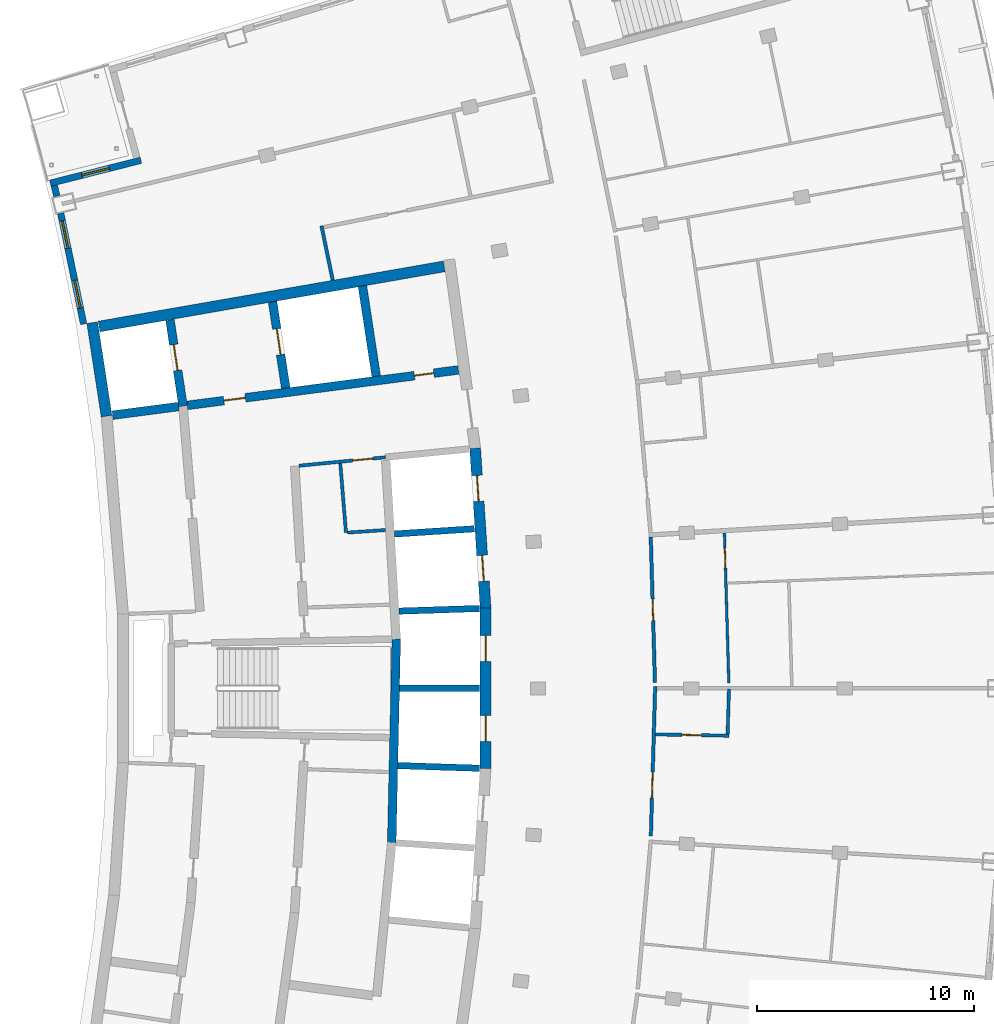
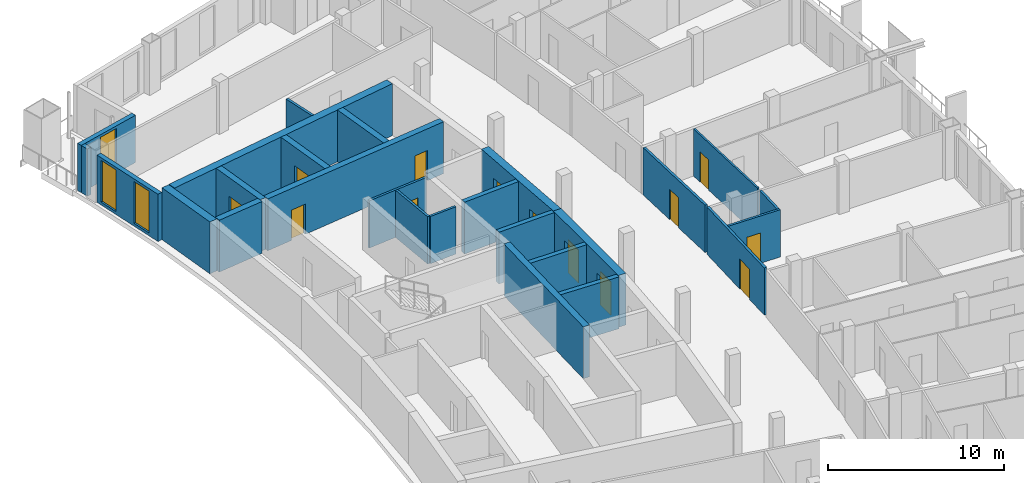
# One storey, part 10 of 15: 26 walls, 13 doors, 3 windows, 16 openings.
"""IFC4 building model written with IfcOpenShell, lengths in metres."""

from ifc_helpers import new_model, si_unit, direction, frame, frame_2d, origin, place, context, subcontext, project, spatial, rectangle, extrude, material, layer, layer_set, type_object, element, fill, save


model = new_model("IFC4")

# Units and contexts
model_context = context("Model", 3, precision=1e-05, world=origin(), true_north=direction((0.0, 1.0)))
body_context = subcontext(model_context, "Body", "Model", "MODEL_VIEW")
ifc_project = project(units=[si_unit("LENGTHUNIT", "METRE"), si_unit("AREAUNIT", "SQUARE_METRE"), si_unit("VOLUMEUNIT", "CUBIC_METRE"), si_unit("PLANEANGLEUNIT", "RADIAN"), si_unit("MASSUNIT", "GRAM", prefix="KILO")], contexts=[model_context])

# Site, building, storey
site_placement = place(None, origin())
site = spatial("IfcSite", under=ifc_project, at=site_placement, CompositionType="ELEMENT")
building_placement = place(site_placement, origin())
building = spatial("IfcBuilding", under=site, at=building_placement, Name="Alderwake Tower", CompositionType="ELEMENT")
storey_placement = place(building_placement, frame((0.0, 0.0, 249.199951171875)))
storey = spatial("IfcBuildingStorey", under=building, at=storey_placement, Name="L61", CompositionType="ELEMENT", Elevation=249.199951171875)

# Walls
ifc_material_1 = material(Name="Gypsum shaft wall system, rated")
ifc_layer_1 = layer(ifc_material_1, 0.14990234375)
ifc_layer_set_1 = layer_set([ifc_layer_1], Name="Core room partition 150")
wall_type_1 = type_object("IfcWallType", Name="Core room partition 150", PredefinedType="PARTITIONING", material=ifc_layer_set_1)
wall_1_placement = place(storey_placement, frame((26.9599609375, 68.170654296875, 0.0), z_axis=(0.0, 0.0, 1.0), x_axis=(-0.081803626558, 0.996648466954, 0.0)))
element("IfcWall", 1, at=wall_1_placement, inside=storey, type_object=wall_type_1, Name="CW/L61/PA+107_+70", PredefinedType="PARTITIONING", context=body_context, shape_type="SweptSolid", body=[
    extrude(rectangle(XDim=3.205322265625, YDim=0.14990234375, at=frame_2d((1.6025390625, 0.0))), origin(), (0.0, 0.0, 1.0), 3.280029296875),
])
wall_2_placement = place(storey_placement, frame((27.034912109375, 68.175537109375, 0.0), z_axis=(0.0, 0.0, 1.0), x_axis=(0.997757929195, 0.066926188655, 0.0)))
element("IfcWall", 2, at=wall_2_placement, inside=storey, type_object=wall_type_1, Name="CW/L61/PR+70_+107", PredefinedType="PARTITIONING", context=body_context, shape_type="SweptSolid", body=[
    extrude(rectangle(XDim=1.7509765625, YDim=0.14990234375, at=frame_2d((0.87548828125, 0.0))), origin(), (0.0, 0.0, 1.0), 3.280029296875),
])

# Wall, opening, door
wall_3_placement = place(storey_placement, frame((28.780517578125, 71.644287109375, 0.0), z_axis=(0.0, 0.0, 1.0), x_axis=(-0.995250000627, -0.097352125046, 0.0)))
wall_3 = element("IfcWall", 3, at=wall_3_placement, inside=storey, type_object=wall_type_1, Name="CW/L61/PR+102_+86", PredefinedType="PARTITIONING", context=body_context, shape_type="SweptSolid", body=[
    extrude(rectangle(XDim=4.0, YDim=0.14990234375, at=frame_2d((2.0, 0.0))), origin(), (0.0, 0.0, 1.0), 3.280029296875),
])
opening_1_placement = place(wall_3_placement, frame((0.60009765625, 0.0, 0.0)))
opening_1 = element("IfcOpeningElement", 4, at=opening_1_placement, cuts=wall_3, Name="Opening C022", PredefinedType="OPENING", context=body_context, shape_type="SweptSolid", body=[
    extrude(rectangle(XDim=0.89990234375, YDim=2.10009765625, at=frame_2d((0.449951171875, 1.050048828125))), frame((0.0, 0.0849609375, 0.0), z_axis=(0.0, -1.0, 0.0), x_axis=(1.0, 0.0, 0.0)), (0.0, 0.0, 1.0), 0.169921875),
])
ifc_material_2 = material(Name="Painted steel leaf", Category="steel")
door_type_1 = type_object("IfcDoorType", Name="Core room door 900", OperationType="SINGLE_SWING_LEFT", PredefinedType="DOOR", material=ifc_material_2)
door_1_placement = place(opening_1_placement, origin())
door_1 = element("IfcDoor", 5, at=door_1_placement, inside=storey, type_object=door_type_1, Name="Room door", OperationType="SINGLE_SWING_LEFT", OverallHeight=2.10009765625, OverallWidth=0.89990234375, PredefinedType="DOOR", context=body_context, shape_type="SweptSolid", body=[
    extrude(rectangle(XDim=0.89990234375, YDim=2.10009765625, at=frame_2d((0.449951171875, 1.050048828125))), frame((0.0, 0.02490234375, 0.0), z_axis=(0.0, -1.0, 0.0), x_axis=(1.0, 0.0, 0.0)), (0.0, 0.0, 1.0), 0.050048828125),
])
fill(opening_1, door_1)

# Wall
ifc_material_3 = material(Name="Concrete C70/85", Category="concrete")
ifc_layer_2 = layer(ifc_material_3, 0.5)
ifc_layer_set_2 = layer_set([ifc_layer_2], Name="Core wall outer 500 C70-85")
wall_type_2 = type_object("IfcWallType", Name="Core wall outer 500 C70-85", PredefinedType="SHEAR", material=ifc_layer_set_2)
wall_4_placement = place(storey_placement, frame((15.934326171875, 73.5380859375, 0.0), z_axis=(0.0, 0.0, 1.0), x_axis=(-0.151947718368, 0.988388532351, 0.0)))
element("IfcWall", 6, at=wall_4_placement, inside=storey, type_object=wall_type_2, Name="Core wall CW.025", PredefinedType="SHEAR", context=body_context, shape_type="SweptSolid", body=[
    extrude(rectangle(XDim=4.357421875, YDim=0.5, at=frame_2d((2.1787109375, 0.0))), origin(), (0.0, 0.0, 1.0), 3.60009765625),
])

# Wall, openings, doors
wall_5_placement = place(storey_placement, frame((33.389892578125, 57.30322265625, 0.0), z_axis=(0.0, 0.0, 1.0), x_axis=(0.0, 1.0, 0.0)))
wall_5 = element("IfcWall", 7, at=wall_5_placement, inside=storey, type_object=wall_type_2, Name="Core wall CW.023", PredefinedType="SHEAR", context=body_context, shape_type="SweptSolid", body=[
    extrude(rectangle(XDim=7.3935546875, YDim=0.5, at=frame_2d((3.69677734375, 0.0))), origin(), (0.0, 0.0, 1.0), 3.60009765625),
])
opening_2_placement = place(wall_5_placement, frame((1.25244140625, 0.0, 0.0)))
opening_2 = element("IfcOpeningElement", 8, at=opening_2_placement, cuts=wall_5, Name="Opening LD-HP3", PredefinedType="OPENING", context=body_context, shape_type="SweptSolid", body=[
    extrude(rectangle(XDim=1.199951171875, YDim=2.300048828125, at=frame_2d((0.60009765625, 1.14990234375))), frame((0.0, 0.260009765625, 0.0), z_axis=(0.0, -1.0, 0.0), x_axis=(1.0, 0.0, 0.0)), (0.0, 0.0, 1.0), 0.52001953125),
])
opening_3_placement = place(wall_5_placement, frame((4.94091796875, 0.0, 0.0)))
opening_3 = element("IfcOpeningElement", 9, at=opening_3_placement, cuts=wall_5, Name="Opening LD-HP4", PredefinedType="OPENING", context=body_context, shape_type="SweptSolid", body=[
    extrude(rectangle(XDim=1.199951171875, YDim=2.300048828125, at=frame_2d((0.60009765625, 1.14990234375))), frame((0.0, 0.260009765625, 0.0), z_axis=(0.0, -1.0, 0.0), x_axis=(1.0, 0.0, 0.0)), (0.0, 0.0, 1.0), 0.52001953125),
])
ifc_material_4 = material(Name="Stainless steel sliding leaf", Category="steel")
door_type_2 = type_object("IfcDoorType", Name="Lift landing door 1200", OperationType="SLIDING_TO_LEFT", PredefinedType="DOOR", material=ifc_material_4)
door_2_placement = place(opening_2_placement, origin())
door_2 = element("IfcDoor", 10, at=door_2_placement, inside=storey, type_object=door_type_2, Name="Lift landing door HP3", OperationType="SLIDING_TO_LEFT", OverallHeight=2.300048828125, OverallWidth=1.199951171875, PredefinedType="DOOR", context=body_context, shape_type="SweptSolid", body=[
    extrude(rectangle(XDim=1.199951171875, YDim=2.300048828125, at=frame_2d((0.60009765625, 1.14990234375))), frame((0.0, 0.02490234375, 0.0), z_axis=(0.0, -1.0, 0.0), x_axis=(1.0, 0.0, 0.0)), (0.0, 0.0, 1.0), 0.050048828125),
])
fill(opening_2, door_2)
door_3_placement = place(opening_3_placement, origin())
door_3 = element("IfcDoor", 11, at=door_3_placement, inside=storey, type_object=door_type_2, Name="Lift landing door HP4", OperationType="SLIDING_TO_LEFT", OverallHeight=2.300048828125, OverallWidth=1.199951171875, PredefinedType="DOOR", context=body_context, shape_type="SweptSolid", body=[
    extrude(rectangle(XDim=1.199951171875, YDim=2.300048828125, at=frame_2d((0.60009765625, 1.14990234375))), frame((0.0, 0.02490234375, 0.0), z_axis=(0.0, -1.0, 0.0), x_axis=(1.0, 0.0, 0.0)), (0.0, 0.0, 1.0), 0.050048828125),
])
fill(opening_3, door_3)

wall_6_placement = place(storey_placement, frame((33.390625, 64.679443359375, 0.0), z_axis=(0.0, 0.0, 1.0), x_axis=(-0.064980500916, 0.997886533881, 0.0)))
wall_6 = element("IfcWall", 12, at=wall_6_placement, inside=storey, type_object=wall_type_2, Name="Core wall CW.020", PredefinedType="SHEAR", context=body_context, shape_type="SweptSolid", body=[
    extrude(rectangle(XDim=7.39404296875, YDim=0.5, at=frame_2d((3.697021484375, 0.0))), origin(), (0.0, 0.0, 1.0), 3.60009765625),
])
opening_4_placement = place(wall_6_placement, frame((1.25244140625, 0.0, 0.0)))
opening_4 = element("IfcOpeningElement", 13, at=opening_4_placement, cuts=wall_6, Name="Opening LD-HP5", PredefinedType="OPENING", context=body_context, shape_type="SweptSolid", body=[
    extrude(rectangle(XDim=1.199951171875, YDim=2.300048828125, at=frame_2d((0.60009765625, 1.14990234375))), frame((0.0, 0.260009765625, 0.0), z_axis=(0.0, -1.0, 0.0), x_axis=(1.0, 0.0, 0.0)), (0.0, 0.0, 1.0), 0.52001953125),
])
opening_5_placement = place(wall_6_placement, frame((4.94091796875, 0.0, 0.0)))
opening_5 = element("IfcOpeningElement", 14, at=opening_5_placement, cuts=wall_6, Name="Opening LD-HP6", PredefinedType="OPENING", context=body_context, shape_type="SweptSolid", body=[
    extrude(rectangle(XDim=1.199951171875, YDim=2.300048828125, at=frame_2d((0.60009765625, 1.14990234375))), frame((0.0, 0.260009765625, 0.0), z_axis=(0.0, -1.0, 0.0), x_axis=(1.0, 0.0, 0.0)), (0.0, 0.0, 1.0), 0.52001953125),
])
door_4_placement = place(opening_4_placement, origin())
door_4 = element("IfcDoor", 15, at=door_4_placement, inside=storey, type_object=door_type_2, Name="Lift landing door HP5", OperationType="SLIDING_TO_LEFT", OverallHeight=2.300048828125, OverallWidth=1.199951171875, PredefinedType="DOOR", context=body_context, shape_type="SweptSolid", body=[
    extrude(rectangle(XDim=1.199951171875, YDim=2.300048828125, at=frame_2d((0.60009765625, 1.14990234375))), frame((0.0, 0.02490234375, 0.0), z_axis=(0.0, -1.0, 0.0), x_axis=(1.0, 0.0, 0.0)), (0.0, 0.0, 1.0), 0.050048828125),
])
fill(opening_4, door_4)
door_5_placement = place(opening_5_placement, origin())
door_5 = element("IfcDoor", 16, at=door_5_placement, inside=storey, type_object=door_type_2, Name="Lift landing door HP6", OperationType="SLIDING_TO_LEFT", OverallHeight=2.300048828125, OverallWidth=1.199951171875, PredefinedType="DOOR", context=body_context, shape_type="SweptSolid", body=[
    extrude(rectangle(XDim=1.199951171875, YDim=2.300048828125, at=frame_2d((0.60009765625, 1.14990234375))), frame((0.0, 0.02490234375, 0.0), z_axis=(0.0, -1.0, 0.0), x_axis=(1.0, 0.0, 0.0)), (0.0, 0.0, 1.0), 0.050048828125),
])
fill(opening_5, door_5)

# Walls
wall_7_placement = place(storey_placement, frame((15.583251953125, 77.664306640625, 0.0), z_axis=(0.0, 0.0, 1.0), x_axis=(0.985139146221, 0.171758151429, 0.0)))
element("IfcWall", 17, at=wall_7_placement, inside=storey, type_object=wall_type_2, Name="Core wall CW.055", PredefinedType="SHEAR", context=body_context, shape_type="SweptSolid", body=[
    extrude(rectangle(XDim=16.134521484375, YDim=0.5, at=frame_2d((8.0673828125, 0.0))), origin(), (0.0, 0.0, 1.0), 3.60009765625),
])
ifc_material_5 = material(Name="Concrete C70/85", Category="concrete")
ifc_layer_3 = layer(ifc_material_5, 0.300048828125)
ifc_layer_set_3 = layer_set([ifc_layer_3], Name="Core wall shaft 300 C70-85")
wall_type_3 = type_object("IfcWallType", Name="Core wall shaft 300 C70-85", PredefinedType="SHEAR", material=ifc_layer_set_3)
wall_8_placement = place(storey_placement, frame((29.347412109375, 57.443603515625, 0.0), z_axis=(0.0, 0.0, 1.0), x_axis=(0.99946995342, -0.032554757112, 0.0)))
element("IfcWall", 18, at=wall_8_placement, inside=storey, type_object=wall_type_3, Name="Core wall CW.075", PredefinedType="SHEAR", context=body_context, shape_type="SweptSolid", body=[
    extrude(rectangle(XDim=3.7646484375, YDim=0.300048828125, at=frame_2d((1.88232421875, 0.0))), origin(), (0.0, 0.0, 1.0), 3.60009765625),
])
wall_9_placement = place(storey_placement, frame((29.426025390625, 61.0, 0.0), z_axis=(0.0, 0.0, 1.0), x_axis=(1.0, 0.0, 0.0)))
element("IfcWall", 19, at=wall_9_placement, inside=storey, type_object=wall_type_3, Name="Core wall CW.048", PredefinedType="SHEAR", context=body_context, shape_type="SweptSolid", body=[
    extrude(rectangle(XDim=3.68408203125, YDim=0.300048828125, at=frame_2d((1.842041015625, 0.0))), origin(), (0.0, 0.0, 1.0), 3.60009765625),
])
wall_10_placement = place(storey_placement, frame((29.401611328125, 64.558349609375, 0.0), z_axis=(0.0, 0.0, 1.0), x_axis=(0.99947159852, 0.032504211301, 0.0)))
element("IfcWall", 20, at=wall_10_placement, inside=storey, type_object=wall_type_3, Name="Core wall CW.058", PredefinedType="SHEAR", context=body_context, shape_type="SweptSolid", body=[
    extrude(rectangle(XDim=3.71044921875, YDim=0.300048828125, at=frame_2d((1.855224609375, 0.0))), origin(), (0.0, 0.0, 1.0), 3.60009765625),
])
wall_11_placement = place(storey_placement, frame((29.193603515625, 68.110595703125, 0.0), z_axis=(0.0, 0.0, 1.0), x_axis=(0.997885994006, 0.064988791085, 0.0)))
element("IfcWall", 21, at=wall_11_placement, inside=storey, type_object=wall_type_3, Name="Core wall CW.061", PredefinedType="SHEAR", context=body_context, shape_type="SweptSolid", body=[
    extrude(rectangle(XDim=3.685302734375, YDim=0.300048828125, at=frame_2d((1.8427734375, 0.0))), origin(), (0.0, 0.0, 1.0), 3.60009765625),
])

# Wall, opening, door
ifc_material_6 = material(Name="Concrete C70/85", Category="concrete")
ifc_layer_4 = layer(ifc_material_6, 0.39990234375)
ifc_layer_set_4 = layer_set([ifc_layer_4], Name="Core wall spine 400 C70-85")
wall_type_4 = type_object("IfcWallType", Name="Core wall spine 400 C70-85", PredefinedType="SHEAR", material=ifc_layer_set_4)
wall_12_placement = place(storey_placement, frame((19.4541015625, 74.00048828125, 0.0), z_axis=(0.0, 0.0, 1.0), x_axis=(-0.149461330246, 0.988767571657, 0.0)))
wall_12 = element("IfcWall", 22, at=wall_12_placement, inside=storey, type_object=wall_type_4, Name="Core wall CW.030", PredefinedType="SHEAR", context=body_context, shape_type="SweptSolid", body=[
    extrude(rectangle(XDim=4.01513671875, YDim=0.39990234375, at=frame_2d((2.007568359375, 0.0))), origin(), (0.0, 0.0, 1.0), 3.60009765625),
])
opening_6_placement = place(wall_12_placement, frame((1.6611328125, 0.0, 0.0)))
opening_6 = element("IfcOpeningElement", 23, at=opening_6_placement, cuts=wall_12, Name="Opening LD-FF1", PredefinedType="OPENING", context=body_context, shape_type="SweptSolid", body=[
    extrude(rectangle(XDim=1.199951171875, YDim=2.300048828125, at=frame_2d((0.60009765625, 1.14990234375))), frame((0.0, 0.2099609375, 0.0), z_axis=(0.0, -1.0, 0.0), x_axis=(1.0, 0.0, 0.0)), (0.0, 0.0, 1.0), 0.419921875),
])
door_6_placement = place(opening_6_placement, origin())
door_6 = element("IfcDoor", 24, at=door_6_placement, inside=storey, type_object=door_type_2, Name="Lift landing door FF1", OperationType="SLIDING_TO_LEFT", OverallHeight=2.300048828125, OverallWidth=1.199951171875, PredefinedType="DOOR", context=body_context, shape_type="SweptSolid", body=[
    extrude(rectangle(XDim=1.199951171875, YDim=2.300048828125, at=frame_2d((0.60009765625, 1.14990234375))), frame((0.0, 0.02490234375, 0.0), z_axis=(0.0, -1.0, 0.0), x_axis=(1.0, 0.0, 0.0)), (0.0, 0.0, 1.0), 0.050048828125),
])
fill(opening_6, door_6)

wall_13_placement = place(storey_placement, frame((24.186279296875, 74.82861328125, 0.0), z_axis=(0.0, 0.0, 1.0), x_axis=(-0.150547717109, 0.988602743711, 0.0)))
wall_13 = element("IfcWall", 25, at=wall_13_placement, inside=storey, type_object=wall_type_4, Name="Core wall CW.044", PredefinedType="SHEAR", context=body_context, shape_type="SweptSolid", body=[
    extrude(rectangle(XDim=4.0234375, YDim=0.39990234375, at=frame_2d((2.01171875, 0.0))), origin(), (0.0, 0.0, 1.0), 3.60009765625),
])
opening_7_placement = place(wall_13_placement, frame((1.561767578125, 0.0, 0.0)))
opening_7 = element("IfcOpeningElement", 26, at=opening_7_placement, cuts=wall_13, Name="Opening LD-FF2", PredefinedType="OPENING", context=body_context, shape_type="SweptSolid", body=[
    extrude(rectangle(XDim=1.199951171875, YDim=2.300048828125, at=frame_2d((0.60009765625, 1.14990234375))), frame((0.0, 0.2099609375, 0.0), z_axis=(0.0, -1.0, 0.0), x_axis=(1.0, 0.0, 0.0)), (0.0, 0.0, 1.0), 0.419921875),
])
door_7_placement = place(opening_7_placement, origin())
door_7 = element("IfcDoor", 27, at=door_7_placement, inside=storey, type_object=door_type_2, Name="Lift landing door FF2", OperationType="SLIDING_TO_LEFT", OverallHeight=2.300048828125, OverallWidth=1.199951171875, PredefinedType="DOOR", context=body_context, shape_type="SweptSolid", body=[
    extrude(rectangle(XDim=1.199951171875, YDim=2.300048828125, at=frame_2d((0.60009765625, 1.14990234375))), frame((0.0, 0.02490234375, 0.0), z_axis=(0.0, -1.0, 0.0), x_axis=(1.0, 0.0, 0.0)), (0.0, 0.0, 1.0), 0.050048828125),
])
fill(opening_7, door_7)

# Walls
wall_14_placement = place(storey_placement, frame((29.06884765625, 53.889404296875, 0.0), z_axis=(0.0, 0.0, 1.0), x_axis=(0.022115148322, 0.9997554302, 0.0)))
element("IfcWall", 28, at=wall_14_placement, inside=storey, type_object=wall_type_4, Name="Core wall CW.008", PredefinedType="SHEAR", context=body_context, shape_type="SweptSolid", body=[
    extrude(rectangle(XDim=9.39453125, YDim=0.39990234375, at=frame_2d((4.697265625, 0.0))), origin(), (0.0, 0.0, 1.0), 3.60009765625),
])
wall_15_placement = place(storey_placement, frame((28.350830078125, 75.373291015625, 0.0), z_axis=(0.0, 0.0, 1.0), x_axis=(-0.150576223774, 0.988598402201, 0.0)))
element("IfcWall", 29, at=wall_15_placement, inside=storey, type_object=wall_type_4, Name="Core wall CW.001", PredefinedType="SHEAR", context=body_context, shape_type="SweptSolid", body=[
    extrude(rectangle(XDim=4.21240234375, YDim=0.39990234375, at=frame_2d((2.106201171875, 0.0))), origin(), (0.0, 0.0, 1.0), 3.60009765625),
])
wall_16_placement = place(storey_placement, frame((16.210693359375, 73.583740234375, 0.0), z_axis=(0.0, 0.0, 1.0), x_axis=(0.991560893257, 0.129641794819, 0.0)))
element("IfcWall", 30, at=wall_16_placement, inside=storey, type_object=wall_type_4, Name="Core wall CW.051", PredefinedType="SHEAR", context=body_context, shape_type="SweptSolid", body=[
    extrude(rectangle(XDim=3.069580078125, YDim=0.39990234375, at=frame_2d((1.53466796875, 0.0))), origin(), (0.0, 0.0, 1.0), 3.60009765625),
])

# Wall, openings, doors
wall_17_placement = place(storey_placement, frame((32.132080078125, 75.666015625, 0.0), z_axis=(0.0, 0.0, 1.0), x_axis=(-0.991555139901, -0.129685791576, 0.0)))
wall_17 = element("IfcWall", 31, at=wall_17_placement, inside=storey, type_object=wall_type_4, Name="Core wall CW.052", PredefinedType="SHEAR", context=body_context, shape_type="SweptSolid", body=[
    extrude(rectangle(XDim=12.586669921875, YDim=0.39990234375, at=frame_2d((6.29345703125, 0.0))), origin(), (0.0, 0.0, 1.0), 3.60009765625),
])
opening_8_placement = place(wall_17_placement, frame((9.88720703125, 0.0, 0.0)))
opening_8 = element("IfcOpeningElement", 32, at=opening_8_placement, cuts=wall_17, Name="Opening C002", PredefinedType="OPENING", context=body_context, shape_type="SweptSolid", body=[
    extrude(rectangle(XDim=1.0, YDim=2.10009765625, at=frame_2d((0.5, 1.050048828125))), frame((0.0, 0.2099609375, 0.0), z_axis=(0.0, -1.0, 0.0), x_axis=(1.0, 0.0, 0.0)), (0.0, 0.0, 1.0), 0.419921875),
])
opening_9_placement = place(wall_17_placement, frame((1.13720703125, 0.0, 0.0)))
opening_9 = element("IfcOpeningElement", 33, at=opening_9_placement, cuts=wall_17, Name="Opening C020", PredefinedType="OPENING", context=body_context, shape_type="SweptSolid", body=[
    extrude(rectangle(XDim=0.89990234375, YDim=2.10009765625, at=frame_2d((0.449951171875, 1.050048828125))), frame((0.0, 0.2099609375, 0.0), z_axis=(0.0, -1.0, 0.0), x_axis=(1.0, 0.0, 0.0)), (0.0, 0.0, 1.0), 0.419921875),
])
door_8_placement = place(opening_9_placement, origin())
door_8 = element("IfcDoor", 34, at=door_8_placement, inside=storey, type_object=door_type_1, Name="Room door", OperationType="SINGLE_SWING_RIGHT", OverallHeight=2.10009765625, OverallWidth=0.89990234375, PredefinedType="DOOR", context=body_context, shape_type="SweptSolid", body=[
    extrude(rectangle(XDim=0.89990234375, YDim=2.10009765625, at=frame_2d((0.449951171875, 1.050048828125))), frame((0.0, 0.02490234375, 0.0), z_axis=(0.0, -1.0, 0.0), x_axis=(1.0, 0.0, 0.0)), (0.0, 0.0, 1.0), 0.050048828125),
])
fill(opening_9, door_8)
ifc_material_7 = material(Name="Steel-framed fire door leaf", Category="steel")
door_type_3 = type_object("IfcDoorType", Name="Firefighting lobby door 1000 fire-rated", OperationType="SINGLE_SWING_LEFT", PredefinedType="DOOR", material=ifc_material_7)
door_9_placement = place(opening_8_placement, origin())
door_9 = element("IfcDoor", 35, at=door_9_placement, inside=storey, type_object=door_type_3, Name="Firefighting lobby door", OperationType="SINGLE_SWING_RIGHT", OverallHeight=2.10009765625, OverallWidth=1.0, PredefinedType="DOOR", context=body_context, shape_type="SweptSolid", body=[
    extrude(rectangle(XDim=1.0, YDim=2.10009765625, at=frame_2d((0.5, 1.050048828125))), frame((0.0, 0.02490234375, 0.0), z_axis=(0.0, -1.0, 0.0), x_axis=(1.0, 0.0, 0.0)), (0.0, 0.0, 1.0), 0.050048828125),
])
fill(opening_8, door_9)

# Wall
ifc_material_8 = material(Name="Gypsum board on metal studs, rated")
ifc_layer_5 = layer(ifc_material_8, 0.159912109375)
ifc_layer_set_5 = layer_set([ifc_layer_5], Name="Corridor wall 160")
wall_type_5 = type_object("IfcWallType", Name="Corridor wall 160", PredefinedType="PARTITIONING", material=ifc_layer_set_5)
wall_18_placement = place(storey_placement, frame((25.831787109375, 82.305419921875, 0.0), z_axis=(0.0, 0.0, 1.0), x_axis=(0.202450797205, -0.979292435747, 0.0)))
element("IfcWall", 36, at=wall_18_placement, inside=storey, type_object=wall_type_5, Name="WL/L61/W11", PredefinedType="PARTITIONING", context=body_context, shape_type="SweptSolid", body=[
    extrude(rectangle(XDim=2.555419921875, YDim=0.159912109375, at=frame_2d((1.27783203125, 0.0))), origin(), (0.0, 0.0, 1.0), 3.280029296875),
])

# Wall, opening, door
wall_19_placement = place(storey_placement, frame((41.201416015625, 61.0791015625, 0.0), z_axis=(0.0, 0.0, 1.0), x_axis=(-0.028879835058, -0.999582890573, 0.0)))
wall_19 = element("IfcWall", 37, at=wall_19_placement, inside=storey, type_object=wall_type_5, Name="WL/L61/W23", PredefinedType="PARTITIONING", context=body_context, shape_type="SweptSolid", body=[
    extrude(rectangle(XDim=6.88134765625, YDim=0.159912109375, at=frame_2d((3.440673828125, 0.0))), origin(), (0.0, 0.0, 1.0), 3.280029296875),
])
opening_10_placement = place(wall_19_placement, frame((3.9404296875, 0.0, 0.0)))
opening_10 = element("IfcOpeningElement", 38, at=opening_10_placement, cuts=wall_19, Name="Opening R17-AM1.1", PredefinedType="OPENING", context=body_context, shape_type="SweptSolid", body=[
    extrude(rectangle(XDim=1.199951171875, YDim=2.10009765625, at=frame_2d((0.60009765625, 1.050048828125))), frame((0.0, 0.08984375, 0.0), z_axis=(0.0, -1.0, 0.0), x_axis=(1.0, 0.0, 0.0)), (0.0, 0.0, 1.0), 0.179931640625),
])
ifc_material_9 = material(Name="Steel-framed fire door leaf", Category="steel")
door_type_4 = type_object("IfcDoorType", Name="Lobby door 1200 fire-rated", OperationType="SINGLE_SWING_LEFT", PredefinedType="DOOR", material=ifc_material_9)
door_10_placement = place(opening_10_placement, origin())
door_10 = element("IfcDoor", 39, at=door_10_placement, inside=storey, type_object=door_type_4, Name="DR/L61/AM1.1", OperationType="SINGLE_SWING_LEFT", OverallHeight=2.10009765625, OverallWidth=1.199951171875, PredefinedType="DOOR", context=body_context, shape_type="SweptSolid", body=[
    extrude(rectangle(XDim=1.199951171875, YDim=2.10009765625, at=frame_2d((0.60009765625, 1.050048828125))), frame((0.0, 0.02490234375, 0.0), z_axis=(0.0, -1.0, 0.0), x_axis=(1.0, 0.0, 0.0)), (0.0, 0.0, 1.0), 0.050048828125),
])
fill(opening_10, door_10)

wall_20_placement = place(storey_placement, frame((40.997802734375, 67.967041015625, 0.0), z_axis=(0.0, 0.0, 1.0), x_axis=(0.0288778927, -0.99958294669, 0.0)))
wall_20 = element("IfcWall", 40, at=wall_20_placement, inside=storey, type_object=wall_type_5, Name="WL/L61/W26", PredefinedType="PARTITIONING", context=body_context, shape_type="SweptSolid", body=[
    extrude(rectangle(XDim=6.7041015625, YDim=0.159912109375, at=frame_2d((3.35205078125, 0.0))), origin(), (0.0, 0.0, 1.0), 3.280029296875),
])
opening_11_placement = place(wall_20_placement, frame((2.85205078125, 0.0, 0.0)))
opening_11 = element("IfcOpeningElement", 41, at=opening_11_placement, cuts=wall_20, Name="Opening R17-U05.1", PredefinedType="OPENING", context=body_context, shape_type="SweptSolid", body=[
    extrude(rectangle(XDim=1.0, YDim=2.10009765625, at=frame_2d((0.5, 1.050048828125))), frame((0.0, 0.08984375, 0.0), z_axis=(0.0, -1.0, 0.0), x_axis=(1.0, 0.0, 0.0)), (0.0, 0.0, 1.0), 0.179931640625),
])
ifc_material_10 = material(Name="Solid timber leaf in steel frame", Category="steel")
door_type_5 = type_object("IfcDoorType", Name="Flat entrance door 1000 fire-rated", OperationType="SINGLE_SWING_LEFT", PredefinedType="DOOR", material=ifc_material_10)
door_11_placement = place(opening_11_placement, origin())
door_11 = element("IfcDoor", 42, at=door_11_placement, inside=storey, type_object=door_type_5, Name="DR/L61/U05.1", OperationType="SINGLE_SWING_LEFT", OverallHeight=2.10009765625, OverallWidth=1.0, PredefinedType="DOOR", context=body_context, shape_type="SweptSolid", body=[
    extrude(rectangle(XDim=1.0, YDim=2.10009765625, at=frame_2d((0.5, 1.050048828125))), frame((0.0, 0.02490234375, 0.0), z_axis=(0.0, -1.0, 0.0), x_axis=(1.0, 0.0, 0.0)), (0.0, 0.0, 1.0), 0.050048828125),
])
fill(opening_11, door_11)

# Wall
ifc_material_11 = material(Name="Precast concrete C50/60 spandrel panel", Category="concrete")
ifc_layer_6 = layer(ifc_material_11, 0.300048828125)
ifc_layer_set_6 = layer_set([ifc_layer_6], Name="External wall EW1 Precast concrete C50/60 spandrel")
wall_type_6 = type_object("IfcWallType", Name="External wall EW1 Precast concrete C50/60 spandrel", PredefinedType="SOLIDWALL", material=ifc_layer_set_6)
wall_21_placement = place(storey_placement, frame((13.523193359375, 84.1572265625, 0.0), z_axis=(0.0, 0.0, 1.0), x_axis=(0.238653145818, -0.971104873838, 0.0)))
element("IfcWall", 43, at=wall_21_placement, inside=storey, type_object=wall_type_6, Name="External wall 30", PredefinedType="SOLIDWALL", context=body_context, shape_type="SweptSolid", body=[
    extrude(rectangle(XDim=0.50341796875, YDim=0.300048828125, at=frame_2d((0.251708984375, 0.0))), origin(), (0.0, 0.0, 1.0), 3.280029296875),
])

# Wall, openings, windows
wall_22_placement = place(storey_placement, frame((13.821533203125, 82.879638671875, 0.0), z_axis=(0.0, 0.0, 1.0), x_axis=(0.202760516883, -0.979228355795, 0.0)))
wall_22 = element("IfcWall", 44, at=wall_22_placement, inside=storey, type_object=wall_type_6, Name="External wall 31", PredefinedType="SOLIDWALL", context=body_context, shape_type="SweptSolid", body=[
    extrude(rectangle(XDim=5.211181640625, YDim=0.300048828125, at=frame_2d((2.60546875, 0.0))), origin(), (0.0, 0.0, 1.0), 3.280029296875),
])
opening_12_placement = place(wall_22_placement, frame((0.342041015625, 0.0, 0.199951171875)))
opening_12 = element("IfcOpeningElement", 45, at=opening_12_placement, cuts=wall_22, Name="Opening W1", PredefinedType="OPENING", context=body_context, shape_type="SweptSolid", body=[
    extrude(rectangle(XDim=1.300048828125, YDim=2.89990234375, at=frame_2d((0.64990234375, 1.449951171875))), frame((0.0, 0.159912109375, 0.0), z_axis=(0.0, -1.0, 0.0), x_axis=(1.0, 0.0, 0.0)), (0.0, 0.0, 1.0), 0.320068359375),
])
opening_13_placement = place(wall_22_placement, frame((3.15478515625, 0.0, 0.199951171875)))
opening_13 = element("IfcOpeningElement", 46, at=opening_13_placement, cuts=wall_22, Name="Opening W1", PredefinedType="OPENING", context=body_context, shape_type="SweptSolid", body=[
    extrude(rectangle(XDim=1.300048828125, YDim=2.89990234375, at=frame_2d((0.64990234375, 1.449951171875))), frame((0.0, 0.159912109375, 0.0), z_axis=(0.0, -1.0, 0.0), x_axis=(1.0, 0.0, 0.0)), (0.0, 0.0, 1.0), 0.320068359375),
])
ifc_material_12 = material(Name="Bronze tinted glass in aluminium frame", Category="aluminium")
window_type = type_object("IfcWindowType", Name="Window W1 tall fixed and vent", PartitioningType="DOUBLE_PANEL_VERTICAL", PredefinedType="WINDOW", material=ifc_material_12)
window_1_placement = place(opening_12_placement, origin())
window_1 = element("IfcWindow", 47, at=window_1_placement, inside=storey, type_object=window_type, Name="Window W1 tall fixed and vent", OverallHeight=2.89990234375, OverallWidth=1.300048828125, PartitioningType="DOUBLE_PANEL_VERTICAL", PredefinedType="WINDOW", context=body_context, shape_type="SweptSolid", body=[
    extrude(rectangle(XDim=1.300048828125, YDim=2.89990234375, at=frame_2d((0.64990234375, 1.449951171875))), frame((0.0, 0.030029296875, 0.0), z_axis=(0.0, -1.0, 0.0), x_axis=(1.0, 0.0, 0.0)), (0.0, 0.0, 1.0), 0.06005859375),
])
fill(opening_12, window_1)
window_2_placement = place(opening_13_placement, origin())
window_2 = element("IfcWindow", 48, at=window_2_placement, inside=storey, type_object=window_type, Name="Window W1 tall fixed and vent", OverallHeight=2.89990234375, OverallWidth=1.300048828125, PartitioningType="DOUBLE_PANEL_VERTICAL", PredefinedType="WINDOW", context=body_context, shape_type="SweptSolid", body=[
    extrude(rectangle(XDim=1.300048828125, YDim=2.89990234375, at=frame_2d((0.64990234375, 1.449951171875))), frame((0.0, 0.030029296875, 0.0), z_axis=(0.0, -1.0, 0.0), x_axis=(1.0, 0.0, 0.0)), (0.0, 0.0, 1.0), 0.06005859375),
])
fill(opening_13, window_2)

# Wall, opening, window
ifc_material_13 = material(Name="Bronze metal cladding on lightweight framing")
ifc_layer_7 = layer(ifc_material_13, 0.300048828125)
ifc_layer_set_7 = layer_set([ifc_layer_7], Name="External wall EW2 bronze metal cladding")
wall_type_7 = type_object("IfcWallType", Name="External wall EW2 bronze metal cladding", PredefinedType="SOLIDWALL", material=ifc_layer_set_7)
wall_23_placement = place(storey_placement, frame((17.51611328125, 85.32275390625, 0.0), z_axis=(0.0, 0.0, 1.0), x_axis=(-0.969417740682, -0.245416470617, 0.0)))
wall_23 = element("IfcWall", 49, at=wall_23_placement, inside=storey, type_object=wall_type_7, Name="External wall 29", PredefinedType="SOLIDWALL", context=body_context, shape_type="SweptSolid", body=[
    extrude(rectangle(XDim=4.305419921875, YDim=0.300048828125, at=frame_2d((2.15283203125, 0.0))), origin(), (0.0, 0.0, 1.0), 3.280029296875),
])
opening_14_placement = place(wall_23_placement, frame((1.502685546875, 0.0, 0.199951171875)))
opening_14 = element("IfcOpeningElement", 50, at=opening_14_placement, cuts=wall_23, Name="Opening W1", PredefinedType="OPENING", context=body_context, shape_type="SweptSolid", body=[
    extrude(rectangle(XDim=1.300048828125, YDim=2.89990234375, at=frame_2d((0.64990234375, 1.449951171875))), frame((0.0, 0.159912109375, 0.0), z_axis=(0.0, -1.0, 0.0), x_axis=(1.0, 0.0, 0.0)), (0.0, 0.0, 1.0), 0.320068359375),
])
window_3_placement = place(opening_14_placement, origin())
window_3 = element("IfcWindow", 51, at=window_3_placement, inside=storey, type_object=window_type, Name="Window W1 tall fixed and vent", OverallHeight=2.89990234375, OverallWidth=1.300048828125, PartitioningType="DOUBLE_PANEL_VERTICAL", PredefinedType="WINDOW", context=body_context, shape_type="SweptSolid", body=[
    extrude(rectangle(XDim=1.300048828125, YDim=2.89990234375, at=frame_2d((0.64990234375, 1.449951171875))), frame((0.0, 0.030029296875, 0.0), z_axis=(0.0, -1.0, 0.0), x_axis=(1.0, 0.0, 0.0)), (0.0, 0.0, 1.0), 0.06005859375),
])
fill(opening_14, window_3)

# Wall, opening, door
ifc_material_14 = material(Name="Gypsum shaft wall system, rated")
ifc_layer_8 = layer(ifc_material_14, 0.14990234375)
ifc_layer_set_8 = layer_set([ifc_layer_8], Name="Riser and shaft wall 150")
wall_type_8 = type_object("IfcWallType", Name="Riser and shaft wall 150", PredefinedType="PARTITIONING", material=ifc_layer_set_8)
wall_24_placement = place(storey_placement, frame((41.218994140625, 58.879638671875, 0.0), z_axis=(0.0, 0.0, 1.0), x_axis=(0.999843204507, -0.017707806214, 0.0)))
wall_24 = element("IfcWall", 52, at=wall_24_placement, inside=storey, type_object=wall_type_8, Name="WL/L61/W06", PredefinedType="PARTITIONING", context=body_context, shape_type="SweptSolid", body=[
    extrude(rectangle(XDim=3.3916015625, YDim=0.14990234375, at=frame_2d((1.69580078125, 0.0))), origin(), (0.0, 0.0, 1.0), 3.280029296875),
])
opening_15_placement = place(wall_24_placement, frame((1.208984375, 0.0, 0.0)))
opening_15 = element("IfcOpeningElement", 53, at=opening_15_placement, cuts=wall_24, Name="Opening R17-AM1.2", PredefinedType="OPENING", context=body_context, shape_type="SweptSolid", body=[
    extrude(rectangle(XDim=0.89990234375, YDim=2.10009765625, at=frame_2d((0.449951171875, 1.050048828125))), frame((0.0, 0.0849609375, 0.0), z_axis=(0.0, -1.0, 0.0), x_axis=(1.0, 0.0, 0.0)), (0.0, 0.0, 1.0), 0.169921875),
])
ifc_material_15 = material(Name="Painted timber leaf", Category="wood")
door_type_6 = type_object("IfcDoorType", Name="Room door 900", OperationType="SINGLE_SWING_LEFT", PredefinedType="DOOR", material=ifc_material_15)
door_12_placement = place(opening_15_placement, origin())
door_12 = element("IfcDoor", 54, at=door_12_placement, inside=storey, type_object=door_type_6, Name="DR/L61/AM1.2", OperationType="SINGLE_SWING_LEFT", OverallHeight=2.10009765625, OverallWidth=0.89990234375, PredefinedType="DOOR", context=body_context, shape_type="SweptSolid", body=[
    extrude(rectangle(XDim=0.89990234375, YDim=2.10009765625, at=frame_2d((0.449951171875, 1.050048828125))), frame((0.0, 0.02490234375, 0.0), z_axis=(0.0, -1.0, 0.0), x_axis=(1.0, 0.0, 0.0)), (0.0, 0.0, 1.0), 0.050048828125),
])
fill(opening_15, door_12)

# Wall
wall_25_placement = place(storey_placement, frame((44.537353515625, 58.89599609375, 0.0), z_axis=(0.0, 0.0, 1.0), x_axis=(0.030225283969, 0.999543111731, 0.0)))
element("IfcWall", 55, at=wall_25_placement, inside=storey, type_object=wall_type_8, Name="WL/L61/W07", PredefinedType="PARTITIONING", context=body_context, shape_type="SweptSolid", body=[
    extrude(rectangle(XDim=2.083984375, YDim=0.14990234375, at=frame_2d((1.0419921875, 0.0))), origin(), (0.0, 0.0, 1.0), 3.280029296875),
])

# Wall, opening, door
ifc_material_16 = material(Name="Moisture resistant gypsum board on metal studs")
ifc_layer_9 = layer(ifc_material_16, 0.1201171875)
ifc_layer_set_9 = layer_set([ifc_layer_9], Name="Wet room partition 120")
wall_type_9 = type_object("IfcWallType", Name="Wet room partition 120", PredefinedType="PARTITIONING", material=ifc_layer_set_9)
wall_26_placement = place(storey_placement, frame((44.390869140625, 68.1650390625, 0.0), z_axis=(0.0, 0.0, 1.0), x_axis=(0.029321285684, -0.99957003867, 0.0)))
wall_26 = element("IfcWall", 56, at=wall_26_placement, inside=storey, type_object=wall_type_9, Name="WL/L61/W40", PredefinedType="PARTITIONING", context=body_context, shape_type="SweptSolid", body=[
    extrude(rectangle(XDim=6.919189453125, YDim=0.1201171875, at=frame_2d((3.45947265625, 0.0))), origin(), (0.0, 0.0, 1.0), 3.280029296875),
])
opening_16_placement = place(wall_26_placement, frame((0.711669921875, 0.0, 0.0)))
opening_16 = element("IfcOpeningElement", 57, at=opening_16_placement, cuts=wall_26, Name="Opening R17-U05.2", PredefinedType="OPENING", context=body_context, shape_type="SweptSolid", body=[
    extrude(rectangle(XDim=0.89990234375, YDim=2.10009765625, at=frame_2d((0.449951171875, 1.050048828125))), frame((0.0, 0.070068359375, 0.0), z_axis=(0.0, -1.0, 0.0), x_axis=(1.0, 0.0, 0.0)), (0.0, 0.0, 1.0), 0.14013671875),
])
door_13_placement = place(opening_16_placement, origin())
door_13 = element("IfcDoor", 58, at=door_13_placement, inside=storey, type_object=door_type_6, Name="DR/L61/U05.2", OperationType="SINGLE_SWING_LEFT", OverallHeight=2.10009765625, OverallWidth=0.89990234375, PredefinedType="DOOR", context=body_context, shape_type="SweptSolid", body=[
    extrude(rectangle(XDim=0.89990234375, YDim=2.10009765625, at=frame_2d((0.449951171875, 1.050048828125))), frame((0.0, 0.02490234375, 0.0), z_axis=(0.0, -1.0, 0.0), x_axis=(1.0, 0.0, 0.0)), (0.0, 0.0, 1.0), 0.050048828125),
])
fill(opening_16, door_13)

save(model, "model.ifc")
